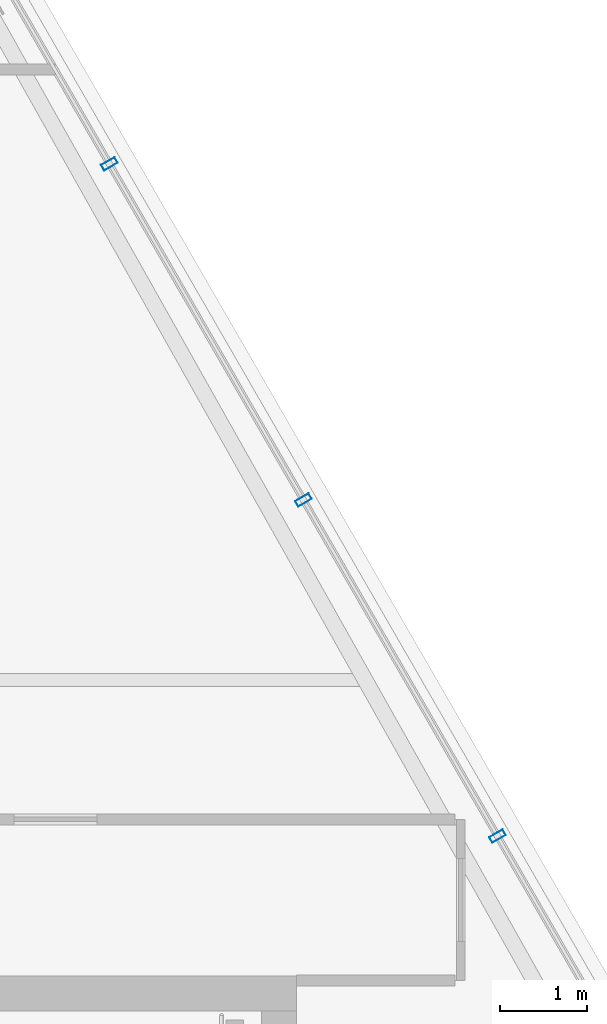
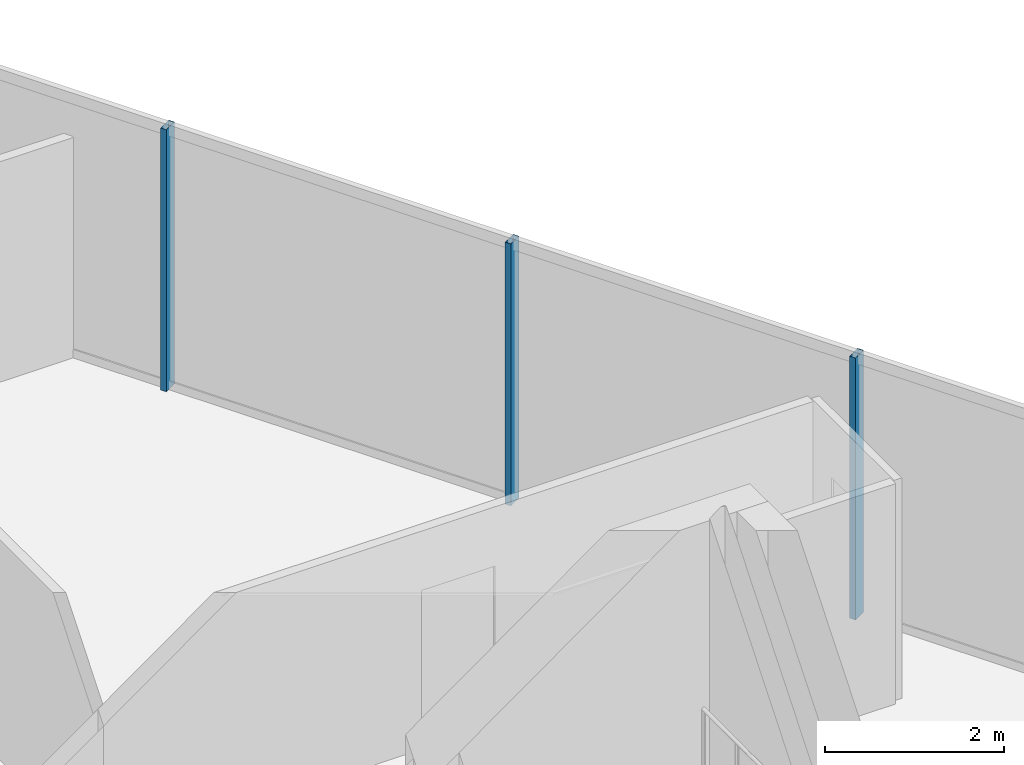
# One storey, part 22 of 32: 3 members, 1 element without a shape of its own.
"""IFC4 building model written with IfcOpenShell, lengths in metres."""

from ifc_helpers import new_model, si_unit, direction, frame, origin, origin_2d, place, context, subcontext, project, spatial, hollow_rectangle, extrude, material, layer, layer_set, material_profile, profile_set, type_object, element, aggregate, save


model = new_model("IFC4")

# Units and contexts
model_context = context("Model", 3, precision=1e-05, world=origin(), true_north=direction((0.0, 1.0)))
body_context = subcontext(model_context, "Body", "Model", "MODEL_VIEW")
ifc_project = project(units=[si_unit("LENGTHUNIT", "METRE"), si_unit("AREAUNIT", "SQUARE_METRE"), si_unit("VOLUMEUNIT", "CUBIC_METRE"), si_unit("PLANEANGLEUNIT", "RADIAN"), si_unit("MASSUNIT", "GRAM", prefix="KILO")], contexts=[model_context])

# Site, building, storey
site_placement = place(None, origin())
site = spatial("IfcSite", under=ifc_project, at=site_placement, CompositionType="ELEMENT")
building_placement = place(site_placement, origin())
building = spatial("IfcBuilding", under=site, at=building_placement, Name="Ndaravel Arena Tower", CompositionType="ELEMENT")
storey_placement = place(building_placement, frame((0.0, 0.0, 283.300048828125)))
storey = spatial("IfcBuildingStorey", under=building, at=storey_placement, Name="L69", CompositionType="ELEMENT", Elevation=283.300048828125)

# Curtain wall, members
ifc_material_1 = material(Name="Aluminium", Category="aluminium")
ifc_layer = layer(ifc_material_1, 0.179931640625)
ifc_layer_set = layer_set([ifc_layer], Name="Aluminium")
curtain_wall_type = type_object("IfcCurtainWallType", Name="CW-SYS-03", PredefinedType="NOTDEFINED", material=ifc_layer_set)
curtain_wall_placement = place(storey_placement, origin())
curtain_wall = element("IfcCurtainWall", 1, at=curtain_wall_placement, inside=storey, type_object=curtain_wall_type, Name="L69 Faceted Crystal Curtain Wall CW-L69-E03", PredefinedType="NOTDEFINED")
ifc_material_2 = material(Name="Aluminium", Category="aluminium")
ifc_material_profile = material_profile(ifc_material_2, hollow_rectangle(XDim=0.074951171875, YDim=0.179931640625, WallThickness=0.00390625, at=origin_2d()), Name="CW MULLION 75x180x4")
ifc_profile_set = profile_set([ifc_material_profile], Name="Aluminium")
member_type = type_object("IfcMemberType", Name="MEM-CW-MUL180", PredefinedType="MULLION", material=ifc_profile_set)
member_1_placement = place(storey_placement, frame((59.855224609375, 16.807373046875, 0.0), z_axis=(0.0, 0.0, 1.0), x_axis=(-0.5, 0.866025403784, 0.0)))
member_1 = element("IfcMember", 2, at=member_1_placement, type_object=member_type, Name="CW-L69-E03 Mullion 02", PredefinedType="MULLION", context=body_context, shape_type="SweptSolid", body=[
    extrude(hollow_rectangle(XDim=0.074951171875, YDim=0.179931640625, WallThickness=0.00390625, at=origin_2d()), origin(), (0.0, 0.0, 1.0), 3.579833984375),
])
member_2_placement = place(storey_placement, frame((57.629150390625, 20.6630859375, 0.0), z_axis=(0.0, 0.0, 1.0), x_axis=(-0.5, 0.866025403784, 0.0)))
member_2 = element("IfcMember", 3, at=member_2_placement, type_object=member_type, Name="CW-L69-E03 Mullion 03", PredefinedType="MULLION", context=body_context, shape_type="SweptSolid", body=[
    extrude(hollow_rectangle(XDim=0.074951171875, YDim=0.179931640625, WallThickness=0.00390625, at=origin_2d()), origin(), (0.0, 0.0, 1.0), 3.579833984375),
])
member_3_placement = place(storey_placement, frame((55.403076171875, 24.518798828125, 0.0), z_axis=(0.0, 0.0, 1.0), x_axis=(-0.5, 0.866025403784, 0.0)))
member_3 = element("IfcMember", 4, at=member_3_placement, type_object=member_type, Name="CW-L69-E03 Mullion 04", PredefinedType="MULLION", context=body_context, shape_type="SweptSolid", body=[
    extrude(hollow_rectangle(XDim=0.074951171875, YDim=0.179931640625, WallThickness=0.00390625, at=origin_2d()), origin(), (0.0, 0.0, 1.0), 3.579833984375),
])
aggregate(curtain_wall, [member_1, member_2, member_3])

save(model, "model.ifc")
